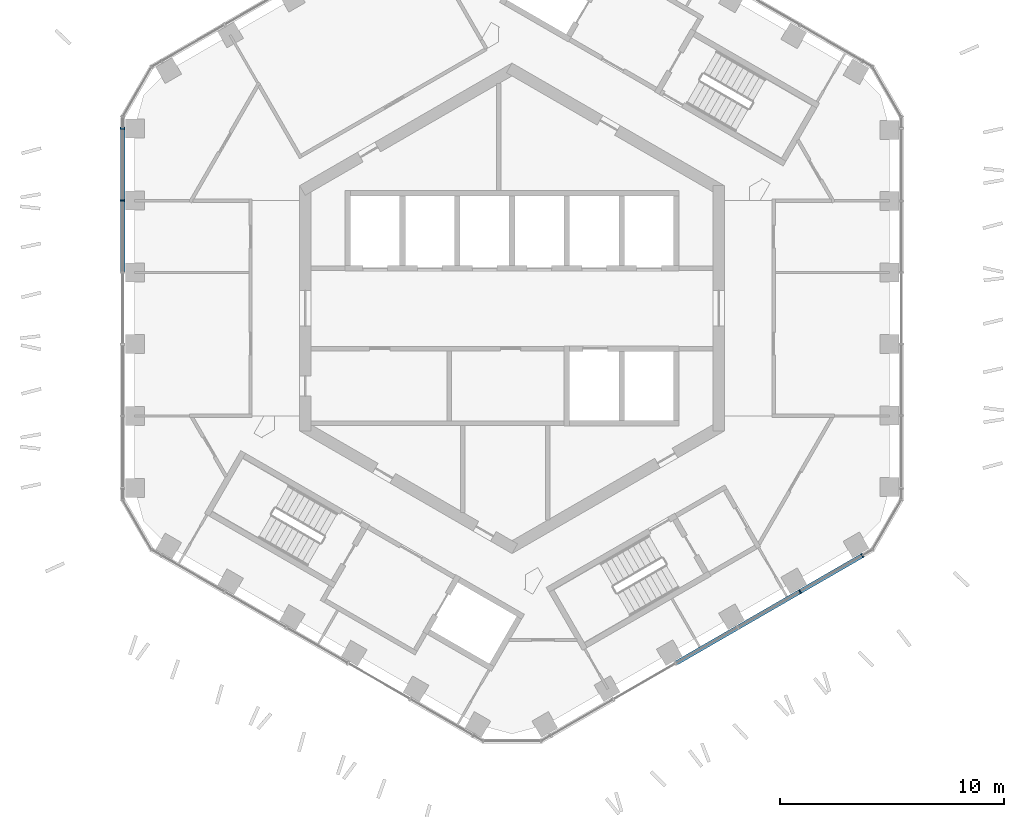
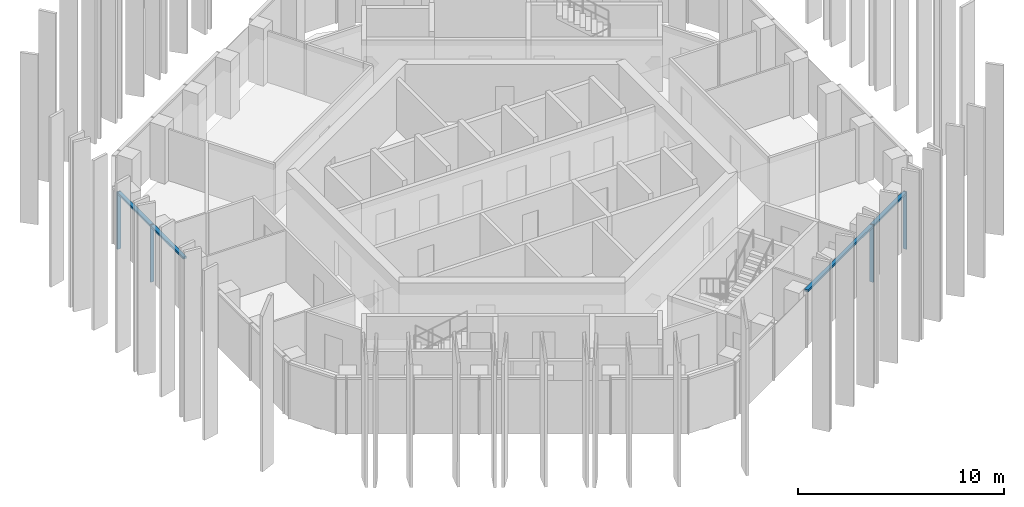
# One storey, part 3 of 18: 6 members, 2 elements without a shape of their own.
"""IFC4 building model written with IfcOpenShell, lengths in metres."""

from ifc_helpers import new_model, si_unit, direction, frame, origin, origin_2d, place, context, subcontext, project, spatial, rectangle, extrude, material, layer, layer_set, material_profile, profile_set, type_object, element, aggregate, save


model = new_model("IFC4")

# Units and contexts
model_context = context("Model", 3, precision=1e-05, world=origin(), true_north=direction((0.0, 1.0)))
body_context = subcontext(model_context, "Body", "Model", "MODEL_VIEW")
ifc_project = project(units=[si_unit("LENGTHUNIT", "METRE"), si_unit("AREAUNIT", "SQUARE_METRE"), si_unit("VOLUMEUNIT", "CUBIC_METRE"), si_unit("PLANEANGLEUNIT", "RADIAN"), si_unit("MASSUNIT", "GRAM", prefix="KILO")], contexts=[model_context])

# Site, building, storey
site_placement = place(None, origin())
site = spatial("IfcSite", under=ifc_project, at=site_placement, CompositionType="ELEMENT")
building_placement = place(site_placement, origin())
building = spatial("IfcBuilding", under=site, at=building_placement, Name="Ayvan Gate Tower", CompositionType="ELEMENT")
storey_placement = place(building_placement, frame((0.0, 0.0, 218.89990234375)))
storey = spatial("IfcBuildingStorey", under=building, at=storey_placement, Name="L58", CompositionType="ELEMENT", Elevation=218.89990234375)

# Curtain wall, members
ifc_material = material(Name="Bronze anodised aluminium", Category="aluminium")
ifc_layer = layer(ifc_material, 0.199951171875)
ifc_layer_set = layer_set([ifc_layer], Name="Bronze anodised aluminium")
curtain_wall_type = type_object("IfcCurtainWallType", Name="Stick curtain wall CW-2", PredefinedType="NOTDEFINED", material=ifc_layer_set)
curtain_wall_1_placement = place(storey_placement, origin())
curtain_wall_1 = element("IfcCurtainWall", 1, at=curtain_wall_1_placement, inside=storey, type_object=curtain_wall_type, Name="Stick curtain wall CW-2 L58", PredefinedType="NOTDEFINED")
ifc_material_profile_1 = material_profile(ifc_material, rectangle(XDim=0.199951171875, YDim=0.070068359375, at=origin_2d()), Name="Stick curtain wall CW-2 mullion 200 x 70")
ifc_profile_set_1 = profile_set([ifc_material_profile_1], Name="Bronze anodised aluminium")
member_type_1 = type_object("IfcMemberType", Name="Stick curtain wall CW-2 mullion 200 x 70", PredefinedType="MULLION", material=ifc_profile_set_1)
member_1_placement = place(storey_placement, frame((-17.41259765625, 8.052001953125, 0.0), z_axis=(0.0, 0.0, 1.0), x_axis=(-1.0, 0.0, 0.0)))
member_1 = element("IfcMember", 2, at=member_1_placement, type_object=member_type_1, Name="CW-2 mullion 1", PredefinedType="MULLION", context=body_context, shape_type="SweptSolid", body=[
    extrude(rectangle(XDim=0.199951171875, YDim=0.070068359375, at=origin_2d()), origin(), (0.0, 0.0, 1.0), 3.400146484375),
])
member_2_placement = place(storey_placement, frame((-17.41259765625, 4.821044921875, 0.0), z_axis=(0.0, 0.0, 1.0), x_axis=(-1.0, 0.0, 0.0)))
member_2 = element("IfcMember", 3, at=member_2_placement, type_object=member_type_1, Name="CW-2 mullion 2", PredefinedType="MULLION", context=body_context, shape_type="SweptSolid", body=[
    extrude(rectangle(XDim=0.199951171875, YDim=0.070068359375, at=origin_2d()), origin(), (0.0, 0.0, 1.0), 3.400146484375),
])

curtain_wall_2_placement = place(storey_placement, origin())
curtain_wall_2 = element("IfcCurtainWall", 4, at=curtain_wall_2_placement, inside=storey, type_object=curtain_wall_type, Name="Stick curtain wall CW-2 L58", PredefinedType="NOTDEFINED")
member_3_placement = place(storey_placement, frame((12.88134765625, -12.669189453125, 0.0), z_axis=(0.0, 0.0, 1.0), x_axis=(0.5, -0.866025403784, 0.0)))
member_3 = element("IfcMember", 5, at=member_3_placement, type_object=member_type_1, Name="CW-2 mullion 5", PredefinedType="MULLION", context=body_context, shape_type="SweptSolid", body=[
    extrude(rectangle(XDim=0.199951171875, YDim=0.070068359375, at=origin_2d()), origin(), (0.0, 0.0, 1.0), 3.400146484375),
])
member_4_placement = place(storey_placement, frame((15.679443359375, -11.0537109375, 0.0), z_axis=(0.0, 0.0, 1.0), x_axis=(0.5, -0.866025403784, 0.0)))
member_4 = element("IfcMember", 6, at=member_4_placement, type_object=member_type_1, Name="CW-2 mullion 6", PredefinedType="MULLION", context=body_context, shape_type="SweptSolid", body=[
    extrude(rectangle(XDim=0.199951171875, YDim=0.070068359375, at=origin_2d()), origin(), (0.0, 0.0, 1.0), 3.400146484375),
])

# Member
ifc_material_profile_2 = material_profile(ifc_material, rectangle(XDim=0.199951171875, YDim=0.1201171875, at=origin_2d()), Name="Stick curtain wall CW-2 transom 200 x 120")
ifc_profile_set_2 = profile_set([ifc_material_profile_2], Name="Bronze anodised aluminium")
member_type_2 = type_object("IfcMemberType", Name="Stick curtain wall CW-2 transom 200 x 120", PredefinedType="USERDEFINED", material=ifc_profile_set_2)
member_5_placement = place(storey_placement, frame((-17.41259765625, 8.052001953125, 3.340087890625), z_axis=(0.0, -1.0, 0.0), x_axis=(1.0, 0.0, 0.0)))
member_5 = element("IfcMember", 7, at=member_5_placement, type_object=member_type_2, Name="CW-2 transom 1", ObjectType="TRANSOM", PredefinedType="USERDEFINED", context=body_context, shape_type="SweptSolid", body=[
    extrude(rectangle(XDim=0.199951171875, YDim=0.1201171875, at=origin_2d()), origin(), (0.0, 0.0, 1.0), 6.409912109375),
])

aggregate(curtain_wall_1, [member_1, member_2, member_5])

member_6_placement = place(storey_placement, frame((7.3447265625, -15.86572265625, 3.340087890625), z_axis=(0.866027170529, 0.499996939896, 0.0), x_axis=(-0.499996939896, 0.866027170529, 0.0)))
member_6 = element("IfcMember", 8, at=member_6_placement, type_object=member_type_2, Name="CW-2 transom 2", ObjectType="TRANSOM", PredefinedType="USERDEFINED", context=body_context, shape_type="SweptSolid", body=[
    extrude(rectangle(XDim=0.199951171875, YDim=0.1201171875, at=origin_2d()), origin(), (0.0, 0.0, 1.0), 9.6240234375),
])

aggregate(curtain_wall_2, [member_3, member_4, member_6])

save(model, "model.ifc")
